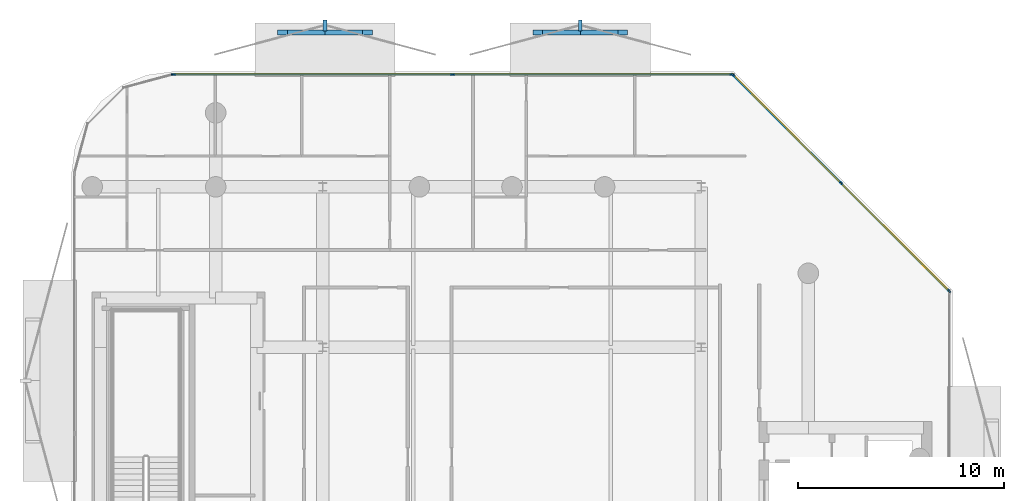
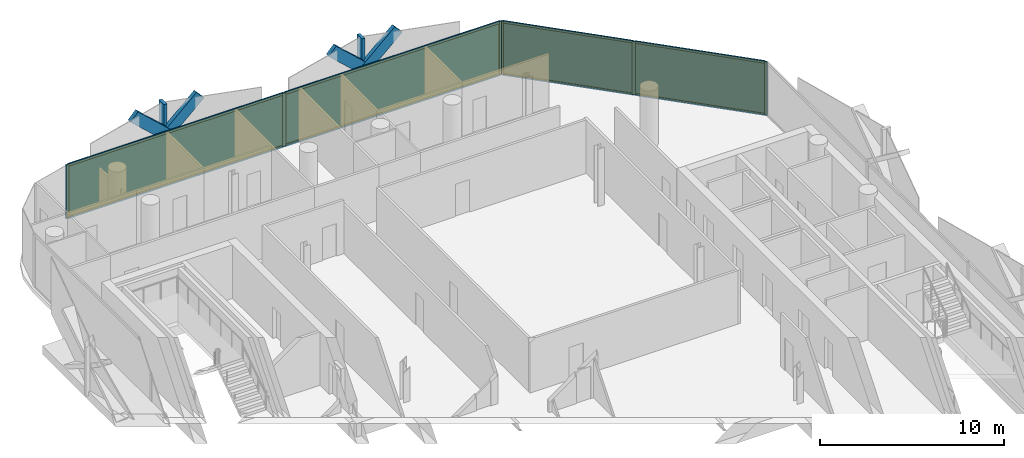
# One storey, part 12 of 16: 20 members, 4 plates, 2 curtain walls.
"""IFC4 building model written with IfcOpenShell, lengths in metres."""

import ifcopenshell
import ifcopenshell.guid

model = None  # the IFC model being written
_history = None  # IfcOwnerHistory: only IFC2X3 demands one
_inside = {}  # id of a spatial element -> (the spatial element, [elements in it])
_under = {}  # id of a project, library or spatial element -> (it, [spatial elements below it])
_declared = {}  # id of a project -> (the project, [libraries it declares])
_typed = {}  # id of a type object -> (the type object, [elements of that type])
_made_of = {}  # id of a material, layer set ... -> (it, [elements and type objects made of it])


def new_model(schema):
    """Start an empty IFC model of exactly this schema.

    Asked for "IFC4X3", IfcOpenShell would pick the latest addendum, in which some entities
    have other attributes; the version numbers below select the first issue.
    IFC2X3 requires an IfcOwnerHistory on every rooted entity: one is made here for all.
    """
    global model, _history
    if schema == "IFC4X3":
        model = ifcopenshell.file(schema_version=(4, 3, 0, 0))
    else:
        model = ifcopenshell.file(schema=schema)
    _inside.clear()
    _under.clear()
    _declared.clear()
    _typed.clear()
    _made_of.clear()
    _history = None
    if model.schema == "IFC2X3":
        org = make("IfcOrganization", Name="unknown")
        user = make(
            "IfcPersonAndOrganization",
            ThePerson=make("IfcPerson", FamilyName="unknown"),
            TheOrganization=org,
        )
        app = make(
            "IfcApplication",
            ApplicationDeveloper=org,
            Version="unknown",
            ApplicationFullName="unknown",
            ApplicationIdentifier="unknown",
        )
        _history = make(
            "IfcOwnerHistory",
            OwningUser=user,
            OwningApplication=app,
            ChangeAction="ADDED",
            CreationDate=0,
        )
    return model


def make(cls, **values):
    """One entity of the class cls with the attributes given. An attribute that is None is left unset."""
    return model.create_entity(
        cls, **{name: value for name, value in values.items() if value is not None}
    )


def rooted(cls, **values):
    """An entity with a GlobalId (a new one), such as an element, a storey or a relation."""
    return make(cls, GlobalId=ifcopenshell.guid.new(), OwnerHistory=_history, **values)


def si_unit(unit_type, name, prefix=None):
    """IfcSIUnit, for example si_unit("LENGTHUNIT", "METRE", prefix="MILLI")."""
    return make("IfcSIUnit", UnitType=unit_type, Prefix=prefix, Name=name)


def assignment(units):
    """IfcUnitAssignment: the units of a project."""
    return None if units is None else make("IfcUnitAssignment", Units=units)


def point(xyz):
    """IfcCartesianPoint."""
    return None if xyz is None else make("IfcCartesianPoint", Coordinates=xyz)


def direction(xyz):
    """IfcDirection."""
    return None if xyz is None else make("IfcDirection", DirectionRatios=xyz)


def frame(location, z_axis=None, x_axis=None):
    """IfcAxis2Placement3D, a coordinate frame: its origin and axes. An axis left out is left unset."""
    return make(
        "IfcAxis2Placement3D",
        Location=point(location),
        Axis=direction(z_axis),
        RefDirection=direction(x_axis),
    )


def frame_2d(location, x_axis=None):
    """IfcAxis2Placement2D, a coordinate frame in the plane: its origin and x axis."""
    return make(
        "IfcAxis2Placement2D", Location=point(location), RefDirection=direction(x_axis)
    )


def origin():
    """The frame at (0, 0, 0) with its axes left unset."""
    return frame((0.0, 0.0, 0.0))


def origin_2d():
    """The frame at (0, 0) in the plane with its x axis left unset."""
    return frame_2d((0.0, 0.0))


def place(relative_to, where):
    """IfcLocalPlacement: puts the frame where relative to a parent placement (None: the world)."""
    return make(
        "IfcLocalPlacement", PlacementRelTo=relative_to, RelativePlacement=where
    )


def context(
    kind, dimensions, precision=None, world=None, true_north=None, identifier=None
):
    """IfcGeometricRepresentationContext, for example the 3D "Model" context."""
    return make(
        "IfcGeometricRepresentationContext",
        ContextIdentifier=identifier,
        ContextType=kind,
        CoordinateSpaceDimension=dimensions,
        Precision=precision,
        WorldCoordinateSystem=world,
        TrueNorth=true_north,
    )


def subcontext(parent, identifier, kind, view, scale=None):
    """IfcGeometricRepresentationSubContext, for example "Body" below "Model"."""
    return make(
        "IfcGeometricRepresentationSubContext",
        ContextIdentifier=identifier,
        ContextType=kind,
        ParentContext=parent,
        TargetScale=scale,
        TargetView=view,
    )


def project(units=None, contexts=None):
    """IfcProject with its units and contexts."""
    return rooted(
        "IfcProject",
        Name="project",
        RepresentationContexts=contexts,
        UnitsInContext=assignment(units),
    )


def spatial(cls, under=None, at=None, **own):
    """A site, building, storey or space (cls), placed at a placement, below another one or the project."""
    s = rooted(cls, ObjectPlacement=at, **own)
    if under is not None:
        _under.setdefault(under.id(), (under, []))[1].append(s)
    return s


def profile(cls, at=None, kind="AREA", **sizes):
    """A parametric profile (cls). Its sizes go by their IFC names, for example OverallWidth=200.0."""
    return make(cls, ProfileType=kind, Position=at, **sizes)


def rectangle(**sizes):
    """IfcRectangleProfileDef."""
    return profile("IfcRectangleProfileDef", **sizes)


def extrude(swept, where, along, depth):
    """IfcExtrudedAreaSolid: the profile swept, set in the frame where, extruded along a direction by depth."""
    return make(
        "IfcExtrudedAreaSolid",
        SweptArea=swept,
        Position=where,
        ExtrudedDirection=direction(along),
        Depth=depth,
    )


def shape(context_of_items, identifier, shape_type, items):
    """IfcShapeRepresentation: the items that make up one representation, for example the "Body"."""
    return make(
        "IfcShapeRepresentation",
        ContextOfItems=context_of_items,
        RepresentationIdentifier=identifier,
        RepresentationType=shape_type,
        Items=items,
    )


def material(Name=None, Category=None):
    """IfcMaterial."""
    return make("IfcMaterial", Name=Name, Category=Category)


def layer(
    of_material, thickness, ventilated=None, Name=None, Category=None, Priority=None
):
    """IfcMaterialLayer: one layer of a wall or slab, of a material (None: an air gap)."""
    return make(
        "IfcMaterialLayer",
        Material=of_material,
        LayerThickness=thickness,
        IsVentilated=ventilated,
        Name=Name,
        Category=Category,
        Priority=Priority,
    )


def layer_set(layers, Name=None):
    """IfcMaterialLayerSet."""
    return make("IfcMaterialLayerSet", MaterialLayers=layers, LayerSetName=Name)


def material_profile(
    of_material, cross_section, Name=None, Category=None, Priority=None
):
    """IfcMaterialProfile: a cross section and its material."""
    return make(
        "IfcMaterialProfile",
        Name=Name,
        Material=of_material,
        Profile=cross_section,
        Priority=Priority,
        Category=Category,
    )


def profile_set(profiles, Name=None, composite=None):
    """IfcMaterialProfileSet."""
    return make(
        "IfcMaterialProfileSet",
        Name=Name,
        MaterialProfiles=profiles,
        CompositeProfile=composite,
    )


def made_of(thing, what):
    """Note that an element or type object is made of a material, layer set ...; save() writes the relation."""
    if what is not None:
        _made_of.setdefault(what.id(), (what, []))[1].append(thing)
    return thing


def type_object(cls, material=None, **own):
    """A type object (cls), such as IfcWallType, which elements share."""
    return made_of(rooted(cls, **own), material)


def element(
    cls,
    number,
    at=None,
    inside=None,
    cuts=None,
    type_object=None,
    material=None,
    context=None,
    identifier="Body",
    shape_type=None,
    held_by="IfcProductDefinitionShape",
    body=None,
    shapes=None,
    **own,
):
    """One element of the class cls, such as IfcWall. Its Tag is "e" and its number.

    at: its placement. inside: the storey or other place that contains it. cuts: it is an
    opening in that element (IfcRelVoidsElement). A single representation is given by context,
    identifier, shape_type and body (its items); several are given by shapes. held_by: the class
    of the entity that holds the representations. save() writes the other relations.
    """
    e = rooted(cls, Tag="e%d" % number, ObjectPlacement=at, **own)
    if body is not None:
        shapes = [shape(context, identifier, shape_type, body)]
    if shapes is not None:
        e.Representation = make(held_by, Representations=shapes)
    if inside is not None:
        _inside.setdefault(inside.id(), (inside, []))[1].append(e)
    if cuts is not None:
        rooted(
            "IfcRelVoidsElement", RelatingBuildingElement=cuts, RelatedOpeningElement=e
        )
    if type_object is not None:
        _typed.setdefault(type_object.id(), (type_object, []))[1].append(e)
    return made_of(e, material)


def aggregate(whole, parts):
    """IfcRelAggregates: a whole, such as a stair, and the parts it consists of."""
    return rooted("IfcRelAggregates", RelatingObject=whole, RelatedObjects=parts)


def save(model, path):
    """Write the relations noted so far, then the file.

    IfcRelAggregates (storeys below a building ...), IfcRelContainedInSpatialStructure (elements
    in a storey), IfcRelDefinesByType, IfcRelAssociatesMaterial and IfcRelDeclares: one each for
    every whole, place, type object, material and project.
    """
    for whole, parts in _under.values():
        aggregate(whole, parts)
    for where, things in _inside.values():
        rooted(
            "IfcRelContainedInSpatialStructure",
            RelatedElements=things,
            RelatingStructure=where,
        )
    for kind, things in _typed.values():
        rooted("IfcRelDefinesByType", RelatedObjects=things, RelatingType=kind)
    for what, things in _made_of.values():
        rooted("IfcRelAssociatesMaterial", RelatedObjects=things, RelatingMaterial=what)
    for by, libraries in _declared.values():
        rooted("IfcRelDeclares", RelatingContext=by, RelatedDefinitions=libraries)
    model.write(path)


model = new_model("IFC4")

# Units and contexts
model_context = context("Model", 3, precision=1e-05, world=origin(), true_north=direction((0.0, 1.0)))
body_context = subcontext(model_context, "Body", "Model", "MODEL_VIEW")
ifc_project = project(units=[si_unit("LENGTHUNIT", "METRE"), si_unit("AREAUNIT", "SQUARE_METRE"), si_unit("VOLUMEUNIT", "CUBIC_METRE"), si_unit("PLANEANGLEUNIT", "RADIAN"), si_unit("MASSUNIT", "GRAM", prefix="KILO")], contexts=[model_context])

# Member
ifc_material_1 = material(Name="Anodised Bronze Aluminium 6063-T6", Category="aluminium")
ifc_material_profile_1 = material_profile(ifc_material_1, rectangle(XDim=0.260009765625, YDim=0.699951171875, at=origin_2d()))
ifc_profile_set_1 = profile_set([ifc_material_profile_1], Name="Anodised Bronze Aluminium 6063-T6")
member_type_1 = type_object("IfcMemberType", Name="Bronze Diamond Solar-Screen Lattice Rib BDL-700", PredefinedType="MULLION", material=ifc_profile_set_1)
site_placement = place(None, origin())
building_placement = place(site_placement, origin())
storey_placement = place(building_placement, frame((0.0, 0.0, 281.39990234375)))
member_1_placement = place(storey_placement, frame((-11.1552734375, 26.10009765625, -0.1298828125), z_axis=(0.736319911048, 0.0, 0.676633570402), x_axis=(0.0, 1.0, 0.0)))
member_1 = element("IfcMember", 1, at=member_1_placement, type_object=member_type_1, Name="L67 Bronze Diamond Solar Screen Lattice Rib 466A", PredefinedType="MULLION", context=body_context, shape_type="SweptSolid", body=[
    extrude(rectangle(XDim=0.260009765625, YDim=0.699951171875, at=origin_2d()), origin(), (0.0, 0.0, 1.0), 5.6162109375),
])

member_2_placement = place(storey_placement, frame((-7.02001953125, 26.10009765625, -0.1298828125), z_axis=(-0.736319911048, 0.0, 0.676633570402), x_axis=(0.0, -1.0, 0.0)))
member_2 = element("IfcMember", 2, at=member_2_placement, type_object=member_type_1, Name="L67 Bronze Diamond Solar Screen Lattice Rib 466B", PredefinedType="MULLION", context=body_context, shape_type="SweptSolid", body=[
    extrude(rectangle(XDim=0.260009765625, YDim=0.699951171875, at=origin_2d()), origin(), (0.0, 0.0, 1.0), 5.6162109375),
])

member_3_placement = place(storey_placement, frame((1.251220703125, 26.10009765625, -0.1298828125), z_axis=(0.736319911048, 0.0, 0.676633570402), x_axis=(0.0, 1.0, 0.0)))
member_3 = element("IfcMember", 3, at=member_3_placement, type_object=member_type_1, Name="L67 Bronze Diamond Solar Screen Lattice Rib 467A", PredefinedType="MULLION", context=body_context, shape_type="SweptSolid", body=[
    extrude(rectangle(XDim=0.260009765625, YDim=0.699951171875, at=origin_2d()), origin(), (0.0, 0.0, 1.0), 5.6162109375),
])

member_4_placement = place(storey_placement, frame((5.386474609375, 26.10009765625, -0.1298828125), z_axis=(-0.736319911048, 0.0, 0.676633570402), x_axis=(0.0, -1.0, 0.0)))
member_4 = element("IfcMember", 4, at=member_4_placement, type_object=member_type_1, Name="L67 Bronze Diamond Solar Screen Lattice Rib 467B", PredefinedType="MULLION", context=body_context, shape_type="SweptSolid", body=[
    extrude(rectangle(XDim=0.260009765625, YDim=0.699951171875, at=origin_2d()), origin(), (0.0, 0.0, 1.0), 5.6162109375),
])

ifc_material_2 = material(Name="Anodised Bronze Aluminium 6063-T6", Category="aluminium")
ifc_material_profile_2 = material_profile(ifc_material_2, rectangle(XDim=0.179931640625, YDim=0.5400390625, at=origin_2d()))
ifc_profile_set_2 = profile_set([ifc_material_profile_2], Name="Anodised Bronze Aluminium 6063-T6")
member_type_2 = type_object("IfcMemberType", Name="Bronze Solar-Screen Vertical Fold Fin BSF-540", PredefinedType="MULLION", material=ifc_profile_set_2)
member_5_placement = place(storey_placement, frame((-9.087646484375, 26.43994140625, -0.1298828125), z_axis=(0.0, 0.0, 1.0), x_axis=(1.0, 0.0, 0.0)))
member_5 = element("IfcMember", 5, at=member_5_placement, type_object=member_type_2, Name="L67 Bronze Solar Screen Vertical Fin 466", PredefinedType="MULLION", context=body_context, shape_type="SweptSolid", body=[
    extrude(rectangle(XDim=0.179931640625, YDim=0.5400390625, at=origin_2d()), origin(), (0.0, 0.0, 1.0), 3.800048828125),
])

member_6_placement = place(storey_placement, frame((3.31884765625, 26.43994140625, -0.1298828125), z_axis=(0.0, 0.0, 1.0), x_axis=(1.0, 0.0, 0.0)))
member_6 = element("IfcMember", 6, at=member_6_placement, type_object=member_type_2, Name="L67 Bronze Solar Screen Vertical Fin 467", PredefinedType="MULLION", context=body_context, shape_type="SweptSolid", body=[
    extrude(rectangle(XDim=0.179931640625, YDim=0.5400390625, at=origin_2d()), origin(), (0.0, 0.0, 1.0), 3.800048828125),
])

ifc_material_3 = material(Name="Anodised Bronze Aluminium 6063-T6", Category="aluminium")
ifc_material_profile_3 = material_profile(ifc_material_3, rectangle(XDim=0.074951171875, YDim=0.2099609375, at=origin_2d()))
ifc_profile_set_3 = profile_set([ifc_material_profile_3], Name="Anodised Bronze Aluminium 6063-T6")
member_type_3 = type_object("IfcMemberType", Name="CW-CRN Mullion 75x210", PredefinedType="MULLION", material=ifc_profile_set_3)
member_7_placement = place(storey_placement, frame((-16.453369140625, 24.06005859375, 0.0), z_axis=(0.0, 0.0, 1.0), x_axis=(0.0, 1.0, 0.0)))
member_7 = element("IfcMember", 7, at=member_7_placement, type_object=member_type_3, Name="CW-CRN mullion 1", PredefinedType="MULLION", context=body_context, shape_type="SweptSolid", body=[
    extrude(rectangle(XDim=0.074951171875, YDim=0.2099609375, at=origin_2d()), origin(), (0.0, 0.0, 1.0), 3.5400390625),
])

member_8_placement = place(storey_placement, frame((-2.884521484375, 24.06005859375, 0.0), z_axis=(0.0, 0.0, 1.0), x_axis=(0.0, 1.0, 0.0)))
member_8 = element("IfcMember", 8, at=member_8_placement, type_object=member_type_3, Name="CW-CRN mullion 2", PredefinedType="MULLION", context=body_context, shape_type="SweptSolid", body=[
    extrude(rectangle(XDim=0.074951171875, YDim=0.2099609375, at=origin_2d()), origin(), (0.0, 0.0, 1.0), 3.5400390625),
])

member_9_placement = place(storey_placement, frame((10.6845703125, 24.06005859375, 0.0), z_axis=(0.0, 0.0, 1.0), x_axis=(0.0, 1.0, 0.0)))
member_9 = element("IfcMember", 9, at=member_9_placement, type_object=member_type_3, Name="CW-CRN mullion 3", PredefinedType="MULLION", context=body_context, shape_type="SweptSolid", body=[
    extrude(rectangle(XDim=0.074951171875, YDim=0.2099609375, at=origin_2d()), origin(), (0.0, 0.0, 1.0), 3.5400390625),
])

ifc_material_4 = material(Name="Anodised Bronze Aluminium 6063-T6", Category="aluminium")
ifc_material_profile_4 = material_profile(ifc_material_4, rectangle(XDim=0.074951171875, YDim=0.1650390625, at=origin_2d()))
ifc_profile_set_4 = profile_set([ifc_material_profile_4], Name="Anodised Bronze Aluminium 6063-T6")
member_type_4 = type_object("IfcMemberType", Name="CW-CRN Transom 75x165", PredefinedType="USERDEFINED", material=ifc_profile_set_4)
member_10_placement = place(storey_placement, frame((-16.415771484375, 24.06005859375, 0.03759765625), z_axis=(1.0, 0.0, 0.0), x_axis=(0.0, 1.0, 0.0)))
member_10 = element("IfcMember", 10, at=member_10_placement, type_object=member_type_4, Name="CW-CRN transom 1.1", ObjectType="TRANSOM", PredefinedType="USERDEFINED", context=body_context, shape_type="SweptSolid", body=[
    extrude(rectangle(XDim=0.074951171875, YDim=0.1650390625, at=origin_2d()), origin(), (0.0, 0.0, 1.0), 13.493896484375),
])

member_11_placement = place(storey_placement, frame((-16.415771484375, 24.06005859375, 3.502685546875), z_axis=(1.0, 0.0, 0.0), x_axis=(0.0, 1.0, 0.0)))
member_11 = element("IfcMember", 11, at=member_11_placement, type_object=member_type_4, Name="CW-CRN transom 1.2", ObjectType="TRANSOM", PredefinedType="USERDEFINED", context=body_context, shape_type="SweptSolid", body=[
    extrude(rectangle(XDim=0.074951171875, YDim=0.1650390625, at=origin_2d()), origin(), (0.0, 0.0, 1.0), 13.493896484375),
])

member_12_placement = place(storey_placement, frame((-2.846923828125, 24.06005859375, 0.03759765625), z_axis=(1.0, 0.0, 0.0), x_axis=(0.0, 1.0, 0.0)))
member_12 = element("IfcMember", 12, at=member_12_placement, type_object=member_type_4, Name="CW-CRN transom 2.1", ObjectType="TRANSOM", PredefinedType="USERDEFINED", context=body_context, shape_type="SweptSolid", body=[
    extrude(rectangle(XDim=0.074951171875, YDim=0.1650390625, at=origin_2d()), origin(), (0.0, 0.0, 1.0), 13.493896484375),
])

member_13_placement = place(storey_placement, frame((-2.846923828125, 24.06005859375, 3.502685546875), z_axis=(1.0, 0.0, 0.0), x_axis=(0.0, 1.0, 0.0)))
member_13 = element("IfcMember", 13, at=member_13_placement, type_object=member_type_4, Name="CW-CRN transom 2.2", ObjectType="TRANSOM", PredefinedType="USERDEFINED", context=body_context, shape_type="SweptSolid", body=[
    extrude(rectangle(XDim=0.074951171875, YDim=0.1650390625, at=origin_2d()), origin(), (0.0, 0.0, 1.0), 13.493896484375),
])

ifc_material_5 = material(Name="Anodised Bronze Aluminium 6063-T6", Category="aluminium")
ifc_material_profile_5 = material_profile(ifc_material_5, rectangle(XDim=0.070068359375, YDim=0.18994140625, at=origin_2d()))
ifc_profile_set_5 = profile_set([ifc_material_profile_5], Name="Anodised Bronze Aluminium 6063-T6")
member_type_5 = type_object("IfcMemberType", Name="CW-SLC Mullion 70x190", PredefinedType="MULLION", material=ifc_profile_set_5)
member_14_placement = place(storey_placement, frame((10.746826171875, 24.03515625, 0.0), z_axis=(0.0, 0.0, 1.0), x_axis=(0.707106781187, 0.707106781187, 0.0)))
member_14 = element("IfcMember", 14, at=member_14_placement, type_object=member_type_5, Name="CW-SLC mullion 1", PredefinedType="MULLION", context=body_context, shape_type="SweptSolid", body=[
    extrude(rectangle(XDim=0.070068359375, YDim=0.18994140625, at=origin_2d()), origin(), (0.0, 0.0, 1.0), 3.5400390625),
])

member_15_placement = place(storey_placement, frame((15.990966796875, 18.791015625, 0.0), z_axis=(0.0, 0.0, 1.0), x_axis=(0.707106781187, 0.707106781187, 0.0)))
member_15 = element("IfcMember", 15, at=member_15_placement, type_object=member_type_5, Name="CW-SLC mullion 2", PredefinedType="MULLION", context=body_context, shape_type="SweptSolid", body=[
    extrude(rectangle(XDim=0.070068359375, YDim=0.18994140625, at=origin_2d()), origin(), (0.0, 0.0, 1.0), 3.5400390625),
])

member_16_placement = place(storey_placement, frame((21.2353515625, 13.546630859375, 0.0), z_axis=(0.0, 0.0, 1.0), x_axis=(0.707106781187, 0.707106781187, 0.0)))
member_16 = element("IfcMember", 16, at=member_16_placement, type_object=member_type_5, Name="CW-SLC mullion 3", PredefinedType="MULLION", context=body_context, shape_type="SweptSolid", body=[
    extrude(rectangle(XDim=0.070068359375, YDim=0.18994140625, at=origin_2d()), origin(), (0.0, 0.0, 1.0), 3.5400390625),
])

ifc_material_6 = material(Name="Anodised Bronze Aluminium 6063-T6", Category="aluminium")
ifc_material_profile_6 = material_profile(ifc_material_6, rectangle(XDim=0.070068359375, YDim=0.14990234375, at=origin_2d()))
ifc_profile_set_6 = profile_set([ifc_material_profile_6], Name="Anodised Bronze Aluminium 6063-T6")
member_type_6 = type_object("IfcMemberType", Name="CW-SLC Transom 70x150", PredefinedType="USERDEFINED", material=ifc_profile_set_6)
member_17_placement = place(storey_placement, frame((10.771484375, 24.010498046875, 0.03515625), z_axis=(0.707106781187, -0.707106781187, 0.0), x_axis=(0.707106781187, 0.707106781187, 0.0)))
member_17 = element("IfcMember", 17, at=member_17_placement, type_object=member_type_6, Name="CW-SLC transom 1.1", ObjectType="TRANSOM", PredefinedType="USERDEFINED", context=body_context, shape_type="SweptSolid", body=[
    extrude(rectangle(XDim=0.070068359375, YDim=0.14990234375, at=origin_2d()), origin(), (0.0, 0.0, 1.0), 7.3466796875),
])

member_18_placement = place(storey_placement, frame((10.771484375, 24.010498046875, 3.505126953125), z_axis=(0.707106781187, -0.707106781187, 0.0), x_axis=(0.707106781187, 0.707106781187, 0.0)))
member_18 = element("IfcMember", 18, at=member_18_placement, type_object=member_type_6, Name="CW-SLC transom 1.2", ObjectType="TRANSOM", PredefinedType="USERDEFINED", context=body_context, shape_type="SweptSolid", body=[
    extrude(rectangle(XDim=0.070068359375, YDim=0.14990234375, at=origin_2d()), origin(), (0.0, 0.0, 1.0), 7.3466796875),
])

member_19_placement = place(storey_placement, frame((16.015869140625, 18.766357421875, 0.03515625), z_axis=(0.707090164688, -0.707123397294, 0.0), x_axis=(0.707123397294, 0.707090164688, 0.0)))
member_19 = element("IfcMember", 19, at=member_19_placement, type_object=member_type_6, Name="CW-SLC transom 2.1", ObjectType="TRANSOM", PredefinedType="USERDEFINED", context=body_context, shape_type="SweptSolid", body=[
    extrude(rectangle(XDim=0.070068359375, YDim=0.14990234375, at=origin_2d()), origin(), (0.0, 0.0, 1.0), 7.346435546875),
])

member_20_placement = place(storey_placement, frame((16.015869140625, 18.766357421875, 3.505126953125), z_axis=(0.707090164688, -0.707123397294, 0.0), x_axis=(0.707123397294, 0.707090164688, 0.0)))
member_20 = element("IfcMember", 20, at=member_20_placement, type_object=member_type_6, Name="CW-SLC transom 2.2", ObjectType="TRANSOM", PredefinedType="USERDEFINED", context=body_context, shape_type="SweptSolid", body=[
    extrude(rectangle(XDim=0.070068359375, YDim=0.14990234375, at=origin_2d()), origin(), (0.0, 0.0, 1.0), 7.346435546875),
])

# Plate
ifc_material_7 = material(Name="Low-E Solar Control Laminated Glass", Category="glass")
ifc_layer_1 = layer(ifc_material_7, 0.035888671875, Name="Low-E Solar Control Laminated Glass")
ifc_layer_set_1 = layer_set([ifc_layer_1], Name="Low-E Solar Control Laminated Glass")
plate_type_1 = type_object("IfcPlateType", Name="CW-CRN Low-E Double Glazed Panel 36mm", PredefinedType="CURTAIN_PANEL", material=ifc_layer_set_1)
plate_1_placement = place(storey_placement, frame((-9.6689453125, 24.06005859375, 0.0751953125), z_axis=(0.0, 0.0, 1.0), x_axis=(1.0, 0.0, 0.0)))
plate_1 = element("IfcPlate", 21, at=plate_1_placement, type_object=plate_type_1, Name="CW-CRN panel 1.1", PredefinedType="CURTAIN_PANEL", context=body_context, shape_type="SweptSolid", body=[
    extrude(rectangle(XDim=13.493896484375, YDim=0.035888671875, at=origin_2d()), origin(), (0.0, 0.0, 1.0), 3.389892578125),
])

plate_2_placement = place(storey_placement, frame((3.900146484375, 24.06005859375, 0.0751953125), z_axis=(0.0, 0.0, 1.0), x_axis=(1.0, 0.0, 0.0)))
plate_2 = element("IfcPlate", 22, at=plate_2_placement, type_object=plate_type_1, Name="CW-CRN panel 2.1", PredefinedType="CURTAIN_PANEL", context=body_context, shape_type="SweptSolid", body=[
    extrude(rectangle(XDim=13.493896484375, YDim=0.035888671875, at=origin_2d()), origin(), (0.0, 0.0, 1.0), 3.389892578125),
])

ifc_material_8 = material(Name="Low-E Solar Control Laminated Glass", Category="glass")
ifc_layer_2 = layer(ifc_material_8, 0.033935546875, Name="Low-E Solar Control Laminated Glass")
ifc_layer_set_2 = layer_set([ifc_layer_2], Name="Low-E Solar Control Laminated Glass")
plate_type_2 = type_object("IfcPlateType", Name="CW-SLC Low-E Double Glazed Panel 34mm", PredefinedType="CURTAIN_PANEL", material=ifc_layer_set_2)
plate_3_placement = place(storey_placement, frame((13.368896484375, 21.4130859375, 0.070068359375), z_axis=(0.0, 0.0, 1.0), x_axis=(0.707106781187, -0.707106781187, 0.0)))
plate_3 = element("IfcPlate", 23, at=plate_3_placement, type_object=plate_type_2, Name="CW-SLC panel 1.1", PredefinedType="CURTAIN_PANEL", context=body_context, shape_type="SweptSolid", body=[
    extrude(rectangle(XDim=7.346435546875, YDim=0.033935546875, at=origin_2d()), origin(), (0.0, 0.0, 1.0), 3.39990234375),
])

plate_4_placement = place(storey_placement, frame((18.613037109375, 16.1689453125, 0.070068359375), z_axis=(0.0, 0.0, 1.0), x_axis=(0.707106781187, -0.707106781187, 0.0)))
plate_4 = element("IfcPlate", 24, at=plate_4_placement, type_object=plate_type_2, Name="CW-SLC panel 2.1", PredefinedType="CURTAIN_PANEL", context=body_context, shape_type="SweptSolid", body=[
    extrude(rectangle(XDim=7.346435546875, YDim=0.033935546875, at=origin_2d()), origin(), (0.0, 0.0, 1.0), 3.39990234375),
])

# Site, building, storey
site = spatial("IfcSite", under=ifc_project, at=site_placement, CompositionType="ELEMENT")
building = spatial("IfcBuilding", under=site, at=building_placement, Name="Khairoan Windgate Tower", CompositionType="ELEMENT")
storey = spatial("IfcBuildingStorey", under=building, at=storey_placement, Name="L67", CompositionType="ELEMENT", Elevation=281.39990234375)

# Curtain wall
ifc_material_9 = material(Name="Anodised Bronze Aluminium 6063-T6", Category="aluminium")
ifc_layer_3 = layer(ifc_material_9, 0.2099609375, Name="Anodised Bronze Aluminium 6063-T6")
ifc_layer_set_3 = layer_set([ifc_layer_3], Name="Anodised Bronze Aluminium 6063-T6")
curtain_wall_type_1 = type_object("IfcCurtainWallType", Name="Crown Observation and Vitrine Curtain Wall CW-CRN", PredefinedType="NOTDEFINED", material=ifc_layer_set_3)
curtain_wall_1_placement = place(storey_placement, frame((-16.49072265625, 24.06005859375, 0.0), z_axis=(0.0, 0.0, 1.0), x_axis=(1.0, 0.0, 0.0)))
curtain_wall_1 = element("IfcCurtainWall", 25, at=curtain_wall_1_placement, inside=storey, type_object=curtain_wall_type_1, Name="L67 Unitised Curtain Wall 7", PredefinedType="NOTDEFINED", context=body_context, shape_type="SweptSolid", body=[
    extrude(rectangle(XDim=27.212646484375, YDim=0.010009765625, at=frame_2d((13.6064453125, 0.0))), origin(), (0.0, 0.0, 1.0), 3.5400390625),
])

aggregate(curtain_wall_1, [member_7, member_8, member_9, member_10, member_11, plate_1, member_12, member_13, plate_2, member_1, member_2, member_5, member_3, member_4, member_6])

ifc_material_10 = material(Name="Anodised Bronze Aluminium 6063-T6", Category="aluminium")
ifc_layer_4 = layer(ifc_material_10, 0.18994140625, Name="Anodised Bronze Aluminium 6063-T6")
ifc_layer_set_4 = layer_set([ifc_layer_4], Name="Anodised Bronze Aluminium 6063-T6")
curtain_wall_type_2 = type_object("IfcCurtainWallType", Name="Diagonal Corner-Slice Facet Curtain Wall CW-SLC", PredefinedType="NOTDEFINED", material=ifc_layer_set_4)
curtain_wall_2_placement = place(storey_placement, frame((10.721923828125, 24.06005859375, 0.0), z_axis=(0.0, 0.0, 1.0), x_axis=(0.707106781187, -0.707106781187, 0.0)))
curtain_wall_2 = element("IfcCurtainWall", 26, at=curtain_wall_2_placement, inside=storey, type_object=curtain_wall_type_2, Name="L67 Crystal Slice Curtain Wall 8", PredefinedType="NOTDEFINED", context=body_context, shape_type="SweptSolid", body=[
    extrude(rectangle(XDim=14.903076171875, YDim=0.010009765625, at=frame_2d((7.45166015625, 0.0))), origin(), (0.0, 0.0, 1.0), 3.5400390625),
])

aggregate(curtain_wall_2, [member_14, member_15, member_16, member_17, member_18, plate_3, member_19, member_20, plate_4])

save(model, "model.ifc")
